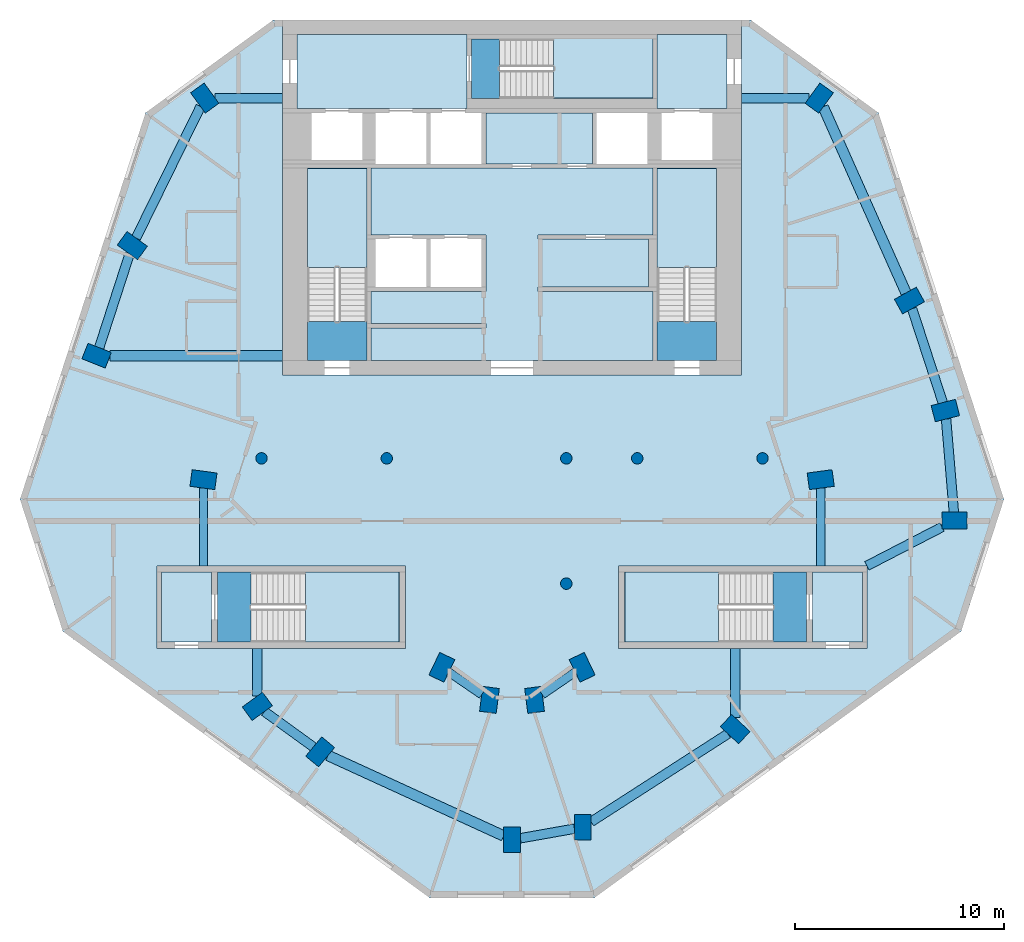
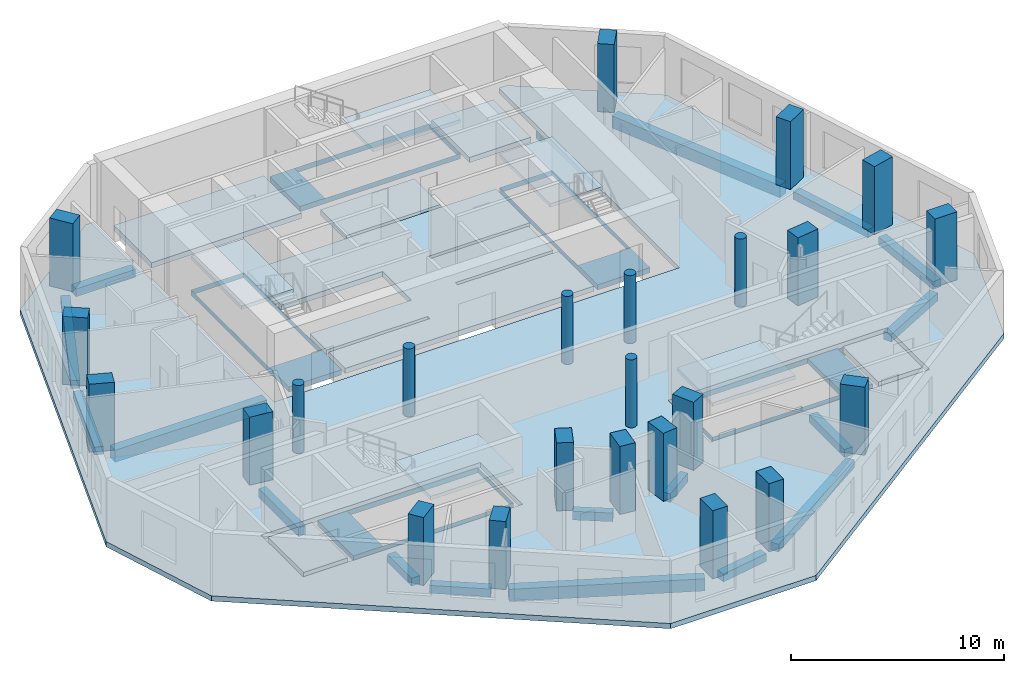
# One storey, part 1 of 8: 24 columns, 19 beams, 17 slabs, 5 elements without a shape of their own.
"""IFC4 building model written with IfcOpenShell, lengths in metres."""

from ifc_helpers import new_model, si_unit, direction, frame, origin, origin_2d, place, context, subcontext, project, spatial, polyline, rectangle, circle, outline, extrude, material, layer, layer_set, material_profile, profile_set, type_object, element, aggregate, save


model = new_model("IFC4")

# Units and contexts
model_context = context("Model", 3, precision=1e-05, world=origin(), true_north=direction((0.0, 1.0)))
body_context = subcontext(model_context, "Body", "Model", "MODEL_VIEW")
ifc_project = project(units=[si_unit("LENGTHUNIT", "METRE"), si_unit("AREAUNIT", "SQUARE_METRE"), si_unit("VOLUMEUNIT", "CUBIC_METRE"), si_unit("PLANEANGLEUNIT", "RADIAN"), si_unit("MASSUNIT", "GRAM", prefix="KILO")], contexts=[model_context])

# Site, building, storey
site_placement = place(None, origin())
site = spatial("IfcSite", under=ifc_project, at=site_placement, CompositionType="ELEMENT")
building_placement = place(site_placement, origin())
building = spatial("IfcBuilding", under=site, at=building_placement, Name="White Candle Pilgrim Tower", CompositionType="ELEMENT")
storey_placement = place(building_placement, frame((0.0, 0.0, 267.800048828125)))
storey = spatial("IfcBuildingStorey", under=building, at=storey_placement, Name="L63", CompositionType="ELEMENT", Elevation=267.800048828125)

# Columns
ifc_material_1 = material(Name="Concrete C60/75", Category="concrete")
ifc_material_profile_1 = material_profile(ifc_material_1, circle(Radius=0.27490234375, at=origin_2d()), Name="RC-COL D550")
ifc_profile_set_1 = profile_set([ifc_material_profile_1], Name="Concrete C60/75")
column_type_1 = type_object("IfcColumnType", Name="Interior column RC-COL D550 C60/75", PredefinedType="COLUMN", material=ifc_profile_set_1)
for number, where, z_axis, x_axis, name in (
    (1, (58.0, 67.0, 0.0), (0.0, 0.0, 1.0), (1.0, 0.0, 0.0), "L63 column I01"),
    (2, (64.0, 67.0, 0.0), (0.0, 0.0, 1.0), (1.0, 0.0, 0.0), "L63 column I02"),
    (3, (72.60009765625, 61.0, 0.0), (0.0, 0.0, 1.0), (1.0, 0.0, 0.0), "L63 column I03"),
    (4, (72.60009765625, 67.0, 0.0), (0.0, 0.0, 1.0), (1.0, 0.0, 0.0), "L63 column I04"),
    (5, (76.0, 67.0, 0.0), (0.0, 0.0, 1.0), (1.0, 0.0, 0.0), "L63 column I05"),
    (6, (82.0, 67.0, 0.0), (0.0, 0.0, 1.0), (1.0, 0.0, 0.0), "L63 column I06"),
):
    element("IfcColumn", number, at=place(storey_placement, frame(where, z_axis=z_axis, x_axis=x_axis)), inside=storey, type_object=column_type_1, Name=name, PredefinedType="COLUMN", context=body_context, shape_type="SweptSolid", body=[
        extrude(circle(Radius=0.27490234375, at=origin_2d()), origin(), (0.0, 0.0, 1.0), 3.89990234375),
    ])
ifc_material_profile_2 = material_profile(ifc_material_1, rectangle(XDim=0.800048828125, YDim=1.199951171875, at=origin_2d()), Name="RC-PR 800x1200")
ifc_profile_set_2 = profile_set([ifc_material_profile_2], Name="Concrete C60/75")
column_type_2 = type_object("IfcColumnType", Name="Perimeter column RC-PR 800x1200 C60/75", PredefinedType="COLUMN", material=ifc_profile_set_2)
for number, where, z_axis, x_axis, name in (
    (7, (57.800048828125, 55.1201171875, 0.0), (0.0, 0.0, 1.0), (-0.58846280644, 0.808524288711, 0.0), "L63 column T01"),
    (8, (60.81005859375, 52.93994140625, 0.0), (0.0, 0.0, 1.0), (-0.769310358735, 0.638875239733, 0.0), "L63 column T02"),
    (9, (70.0, 48.72998046875, 0.0), (0.0, 0.0, 1.0), (-1.0, 0.0, 0.0), "L63 column T03"),
    (10, (73.389892578125, 49.330078125, 0.0), (0.0, 0.0, 1.0), (-1.0, 0.0, 0.0), "L63 column T04"),
    (11, (80.68994140625, 54.030029296875, 0.0), (0.0, 0.0, 1.0), (-0.681998360062, -0.731353701619, 0.0), "L63 column T05"),
    (12, (91.199951171875, 64.02001953125, 0.0), (0.0, 0.0, 1.0), (0.000855211229, -0.999999634307, 0.0), "L63 column T06"),
    (13, (90.760009765625, 69.2900390625, 0.0), (0.0, 0.0, 1.0), (0.246880623275, -0.969045900797, 0.0), "L63 column T07"),
    (14, (89.0400390625, 74.56005859375, 0.0), (0.0, 0.0, 1.0), (0.484809620246, -0.874619707139, 0.0), "L63 column T08"),
    (15, (84.719970703125, 84.260009765625, 0.0), (0.0, 0.0, 1.0), (0.80902725304, -0.587771132193, 0.0), "L63 column T09"),
    (16, (55.280029296875, 84.260009765625, 0.0), (0.0, 0.0, 1.0), (0.80902725304, 0.587771132193, 0.0), "L63 column T10"),
    (17, (51.81005859375, 77.18994140625, 0.0), (0.0, 0.0, 1.0), (0.587107285614, 0.809509132239, 0.0), "L63 column T11"),
    (18, (50.10009765625, 71.919921875, 0.0), (0.0, 0.0, 1.0), (0.369860269472, 0.929087391512, 0.0), "L63 column T12"),
):
    element("IfcColumn", number, at=place(storey_placement, frame(where, z_axis=z_axis, x_axis=x_axis)), inside=storey, type_object=column_type_2, Name=name, PredefinedType="COLUMN", context=body_context, shape_type="SweptSolid", body=[
        extrude(rectangle(XDim=0.800048828125, YDim=1.199951171875, at=origin_2d()), origin(), (0.0, 0.0, 1.0), 3.89990234375),
    ])
ifc_material_profile_3 = material_profile(ifc_material_1, rectangle(XDim=0.800048828125, YDim=1.199951171875, at=origin_2d()), Name="RC-PR 800x1200")
ifc_profile_set_3 = profile_set([ifc_material_profile_3], Name="Concrete C60/75")
column_type_3 = type_object("IfcColumnType", Name="Ring column RC-PR 800x1200 C60/75", PredefinedType="COLUMN", material=ifc_profile_set_3)
for number, where, z_axis, x_axis, name in (
    (19, (66.639892578125, 56.989990234375, 0.0), (0.0, 0.0, 1.0), (-0.901689191761, 0.43238478403, 0.0), "L63 column R01"),
    (20, (68.919921875, 55.429931640625, 0.0), (0.0, 0.0, 1.0), (-0.992092811428, 0.125506388335, 0.0), "L63 column R02"),
    (21, (71.080078125, 55.429931640625, 0.0), (0.0, 0.0, 1.0), (-0.992092811428, -0.125506388335, 0.0), "L63 column R03"),
    (22, (73.360107421875, 56.989990234375, 0.0), (0.0, 0.0, 1.0), (-0.901689191761, -0.43238478403, 0.0), "L63 column R04"),
    (23, (84.7900390625, 65.97998046875, 0.0), (0.0, 0.0, 1.0), (0.132602381688, -0.991169313675, 0.0), "L63 column R05"),
    (24, (55.219970703125, 65.97998046875, 0.0), (0.0, 0.0, 1.0), (0.132602381688, 0.991169313675, 0.0), "L63 column R06"),
):
    element("IfcColumn", number, at=place(storey_placement, frame(where, z_axis=z_axis, x_axis=x_axis)), inside=storey, type_object=column_type_3, Name=name, PredefinedType="COLUMN", context=body_context, shape_type="SweptSolid", body=[
        extrude(rectangle(XDim=0.800048828125, YDim=1.199951171875, at=origin_2d()), origin(), (0.0, 0.0, 1.0), 3.89990234375),
    ])

# Beams
ifc_material_2 = material(Name="Concrete C50/60", Category="concrete")
ifc_material_profile_4 = material_profile(ifc_material_2, rectangle(XDim=0.39990234375, YDim=0.5, at=origin_2d()), Name="RC-BM 400x500")
ifc_profile_set_4 = profile_set([ifc_material_profile_4], Name="Concrete C50/60")
beam_type_1 = type_object("IfcBeamType", Name="Ring beam RC-BM 400x500 C50/60", PredefinedType="BEAM", material=ifc_profile_set_4)
for number, where, z_axis, x_axis, name in (
    (25, (66.97412109375, 56.761474609375, -0.550048828125), (0.825257044892, -0.564757301729, 0.0), (0.564757301729, 0.825257044892, 0.0), "L63 ring beam R01"),
    (26, (71.451171875, 55.683837890625, -0.550048828125), (0.825257044892, 0.564757301729, 0.0), (-0.564757301729, 0.825257044892, 0.0), "L63 ring beam R02"),
):
    element("IfcBeam", number, at=place(storey_placement, frame(where, z_axis=z_axis, x_axis=x_axis)), inside=storey, type_object=beam_type_1, Name=name, PredefinedType="BEAM", context=body_context, shape_type="SweptSolid", body=[
        extrude(rectangle(XDim=0.39990234375, YDim=0.5, at=origin_2d()), origin(), (0.0, 0.0, 1.0), 1.908203125),
    ])
for number, where, z_axis, x_axis, name in (
    (27, (84.7900390625, 65.576416015625, -0.550048828125), (0.0, -1.0, 0.0), (1.0, 0.0, 0.0), "L63 ring beam R03"),
    (28, (55.219970703125, 65.576416015625, -0.550048828125), (0.0, -1.0, 0.0), (1.0, 0.0, 0.0), "L63 ring beam R04"),
):
    element("IfcBeam", number, at=place(storey_placement, frame(where, z_axis=z_axis, x_axis=x_axis)), inside=storey, type_object=beam_type_1, Name=name, PredefinedType="BEAM", context=body_context, shape_type="SweptSolid", body=[
        extrude(rectangle(XDim=0.39990234375, YDim=0.5, at=origin_2d()), origin(), (0.0, 0.0, 1.0), 3.726318359375),
    ])
ifc_material_profile_5 = material_profile(ifc_material_2, rectangle(XDim=0.449951171875, YDim=0.449951171875, at=origin_2d()), Name="RC-BM 450x450")
ifc_profile_set_5 = profile_set([ifc_material_profile_5], Name="Concrete C50/60")
beam_type_2 = type_object("IfcBeamType", Name="Spandrel beam RC-BM 450x450 C50/60", PredefinedType="BEAM", material=ifc_profile_set_5)
beam_1_placement = place(storey_placement, frame((58.140625, 54.873291015625, -0.525146484375), z_axis=(0.809886863982, -0.586586112647, 0.0), x_axis=(0.586586112647, 0.809886863982, 0.0)))
element("IfcBeam", 29, at=beam_1_placement, inside=storey, type_object=beam_type_2, Name="L63 spandrel beam T01", PredefinedType="BEAM", context=body_context, shape_type="SweptSolid", body=[
    extrude(rectangle(XDim=0.449951171875, YDim=0.449951171875, at=origin_2d()), origin(), (0.0, 0.0, 1.0), 2.89501953125),
])
beam_2_placement = place(storey_placement, frame((70.39990234375, 48.80078125, -0.525146484375), z_axis=(0.984690914207, 0.174309504843, 0.0), x_axis=(-0.174309504843, 0.984690914207, 0.0)))
element("IfcBeam", 30, at=beam_2_placement, inside=storey, type_object=beam_type_2, Name="L63 spandrel beam T03", PredefinedType="BEAM", context=body_context, shape_type="SweptSolid", body=[
    extrude(rectangle(XDim=0.449951171875, YDim=0.449951171875, at=origin_2d()), origin(), (0.0, 0.0, 1.0), 2.63037109375),
])
beam_3_placement = place(storey_placement, frame((73.7900390625, 49.58740234375, -0.525146484375), z_axis=(0.840792523654, 0.541357490175, 0.0), x_axis=(-0.541357490175, 0.840792523654, 0.0)))
element("IfcBeam", 31, at=beam_3_placement, inside=storey, type_object=beam_type_2, Name="L63 spandrel beam T04", PredefinedType="BEAM", context=body_context, shape_type="SweptSolid", body=[
    extrude(rectangle(XDim=0.449951171875, YDim=0.449951171875, at=origin_2d()), origin(), (0.0, 0.0, 1.0), 7.793701171875),
])
beam_4_placement = place(storey_placement, frame((80.68994140625, 54.576904296875, -0.525146484375), z_axis=(0.0, 1.0, 0.0), x_axis=(-1.0, 0.0, 0.0)))
element("IfcBeam", 32, at=beam_4_placement, inside=storey, type_object=beam_type_2, Name="L63 spandrel beam T05", PredefinedType="BEAM", context=body_context, shape_type="SweptSolid", body=[
    extrude(rectangle(XDim=0.449951171875, YDim=0.449951171875, at=origin_2d()), origin(), (0.0, 0.0, 1.0), 3.322998046875),
])
beam_5_placement = place(storey_placement, frame((90.600341796875, 63.710205078125, -0.525146484375), z_axis=(-0.888432867753, -0.459006578925, 0.0), x_axis=(0.459006578925, -0.888432867753, 0.0)))
element("IfcBeam", 33, at=beam_5_placement, inside=storey, type_object=beam_type_2, Name="L63 spandrel beam T06", PredefinedType="BEAM", context=body_context, shape_type="SweptSolid", body=[
    extrude(rectangle(XDim=0.449951171875, YDim=0.449951171875, at=origin_2d()), origin(), (0.0, 0.0, 1.0), 4.052490234375),
])
beam_6_placement = place(storey_placement, frame((91.16650390625, 64.419921875, -0.525146484375), z_axis=(-0.083189754962, 0.996533724803, 0.0), x_axis=(-0.996533724803, -0.083189754962, 0.0)))
element("IfcBeam", 34, at=beam_6_placement, inside=storey, type_object=beam_type_2, Name="L63 spandrel beam T07", PredefinedType="BEAM", context=body_context, shape_type="SweptSolid", body=[
    extrude(rectangle(XDim=0.449951171875, YDim=0.449951171875, at=origin_2d()), origin(), (0.0, 0.0, 1.0), 4.4814453125),
])
beam_7_placement = place(storey_placement, frame((90.635498046875, 69.671142578125, -0.525146484375), z_axis=(-0.310235376741, 0.950659776691, 0.0), x_axis=(-0.950659776691, -0.310235376741, 0.0)))
element("IfcBeam", 35, at=beam_7_placement, inside=storey, type_object=beam_type_2, Name="L63 spandrel beam T08", PredefinedType="BEAM", context=body_context, shape_type="SweptSolid", body=[
    extrude(rectangle(XDim=0.449951171875, YDim=0.449951171875, at=origin_2d()), origin(), (0.0, 0.0, 1.0), 4.735107421875),
])
for number, where, z_axis, x_axis, name in (
    (36, (84.2255859375, 84.260009765625, -0.525146484375), (-1.0, 0.0, 0.0), (0.0, -1.0, 0.0), "L63 spandrel beam T10"),
    (37, (55.7744140625, 84.260009765625, -0.525146484375), (1.0, 0.0, 0.0), (0.0, 1.0, 0.0), "L63 spandrel beam T11"),
):
    element("IfcBeam", number, at=place(storey_placement, frame(where, z_axis=z_axis, x_axis=x_axis)), inside=storey, type_object=beam_type_2, Name=name, PredefinedType="BEAM", context=body_context, shape_type="SweptSolid", body=[
        extrude(rectangle(XDim=0.449951171875, YDim=0.449951171875, at=origin_2d()), origin(), (0.0, 0.0, 1.0), 3.2255859375),
    ])
beam_8_placement = place(storey_placement, frame((55.080810546875, 83.853759765625, -0.525146484375), z_axis=(-0.440604884501, -0.897701139441, 0.0), x_axis=(0.897701139441, -0.440604884501, 0.0)))
element("IfcBeam", 38, at=beam_8_placement, inside=storey, type_object=beam_type_2, Name="L63 spandrel beam T12", PredefinedType="BEAM", context=body_context, shape_type="SweptSolid", body=[
    extrude(rectangle(XDim=0.449951171875, YDim=0.449951171875, at=origin_2d()), origin(), (0.0, 0.0, 1.0), 7.01708984375),
])
beam_9_placement = place(storey_placement, frame((51.68017578125, 76.7900390625, -0.525146484375), z_axis=(-0.308643859688, -0.95117767419, 0.0), x_axis=(0.95117767419, -0.308643859688, 0.0)))
element("IfcBeam", 39, at=beam_9_placement, inside=storey, type_object=beam_type_2, Name="L63 spandrel beam T13", PredefinedType="BEAM", context=body_context, shape_type="SweptSolid", body=[
    extrude(rectangle(XDim=0.449951171875, YDim=0.449951171875, at=origin_2d()), origin(), (0.0, 0.0, 1.0), 4.71923828125),
])
beam_10_placement = place(storey_placement, frame((57.800048828125, 55.61474609375, -0.525146484375), z_axis=(0.0, 1.0, 0.0), x_axis=(-1.0, 0.0, 0.0)))
element("IfcBeam", 40, at=beam_10_placement, inside=storey, type_object=beam_type_2, Name="L63 spandrel beam T15", PredefinedType="BEAM", context=body_context, shape_type="SweptSolid", body=[
    extrude(rectangle(XDim=0.449951171875, YDim=0.449951171875, at=origin_2d()), origin(), (0.0, 0.0, 1.0), 2.28515625),
])
ifc_material_profile_6 = material_profile(ifc_material_2, rectangle(XDim=0.5, YDim=0.699951171875, at=origin_2d()), Name="RC-BM 500x700")
ifc_profile_set_6 = profile_set([ifc_material_profile_6], Name="Concrete C50/60")
beam_type_3 = type_object("IfcBeamType", Name="Spandrel beam RC-BM 500x700 C50/60", PredefinedType="BEAM", material=ifc_profile_set_6)
beam_11_placement = place(storey_placement, frame((61.186767578125, 52.767578125, -0.650146484375), z_axis=(0.90913101106, -0.416510269656, 0.0), x_axis=(0.416510269656, 0.90913101106, 0.0)))
element("IfcBeam", 41, at=beam_11_placement, inside=storey, type_object=beam_type_3, Name="L63 spandrel beam T02", PredefinedType="BEAM", context=body_context, shape_type="SweptSolid", body=[
    extrude(rectangle(XDim=0.5, YDim=0.699951171875, at=origin_2d()), origin(), (0.0, 0.0, 1.0), 9.254150390625),
])
beam_12_placement = place(storey_placement, frame((88.876708984375, 74.9267578125, -0.650146484375), z_axis=(-0.406834969126, 0.913501673724, 0.0), x_axis=(-0.913501673724, -0.406834969126, 0.0)))
element("IfcBeam", 42, at=beam_12_placement, inside=storey, type_object=beam_type_3, Name="L63 spandrel beam T09", PredefinedType="BEAM", context=body_context, shape_type="SweptSolid", body=[
    extrude(rectangle(XDim=0.5, YDim=0.699951171875, at=origin_2d()), origin(), (0.0, 0.0, 1.0), 9.755126953125),
])
beam_13_placement = place(storey_placement, frame((50.745849609375, 71.919921875, -0.650146484375), z_axis=(1.0, 0.0, 0.0), x_axis=(0.0, 1.0, 0.0)))
element("IfcBeam", 43, at=beam_13_placement, inside=storey, type_object=beam_type_3, Name="L63 spandrel beam T14", PredefinedType="BEAM", context=body_context, shape_type="SweptSolid", body=[
    extrude(rectangle(XDim=0.5, YDim=0.699951171875, at=origin_2d()), origin(), (0.0, 0.0, 1.0), 8.254150390625),
])

# Slabs
ifc_material_3 = material(Name="Concrete C40/50", Category="concrete")
ifc_layer_1 = layer(ifc_material_3, 0.300048828125)
ifc_layer_set_1 = layer_set([ifc_layer_1], Name="Core floor slab 300 mm Concrete C40/50")
slab_type_1 = type_object("IfcSlabType", Name="Core floor slab 300 mm Concrete C40/50", PredefinedType="FLOOR", material=ifc_layer_set_1)
slab_1_placement = place(storey_placement, frame((0.0, 0.0, -0.300048828125)))
element("IfcSlab", 44, at=slab_1_placement, inside=storey, type_object=slab_type_1, Name="CF-L63-01", PredefinedType="FLOOR", context=body_context, shape_type="SweptSolid", body=[
    extrude(outline(polyline([(55.60009765625, 58.199951171875), (53.199951171875, 58.199951171875), (53.199951171875, 61.550048828125), (55.60009765625, 61.550048828125), (55.60009765625, 58.199951171875)])), origin(), (0.0, 0.0, 1.0), 0.300048828125),
])
slab_2_placement = place(storey_placement, frame((0.0, 0.0, -0.300048828125)))
element("IfcSlab", 45, at=slab_2_placement, inside=storey, type_object=slab_type_1, Name="CF-L63-02", PredefinedType="FLOOR", context=body_context, shape_type="SweptSolid", body=[
    extrude(outline(polyline([(55.89990234375, 58.199951171875), (55.89990234375, 61.550048828125), (64.60009765625, 61.550048828125), (64.60009765625, 58.199951171875), (55.89990234375, 58.199951171875)]), holes=[polyline([(57.501953125, 61.548095703125), (57.501953125, 58.201904296875), (64.597900390625, 58.201904296875), (64.597900390625, 61.548095703125), (57.501953125, 61.548095703125)])]), origin(), (0.0, 0.0, 1.0), 0.300048828125),
])
slab_3_placement = place(storey_placement, frame((0.0, 0.0, -0.300048828125)))
element("IfcSlab", 46, at=slab_3_placement, inside=storey, type_object=slab_type_1, Name="CF-L63-03", PredefinedType="FLOOR", context=body_context, shape_type="SweptSolid", body=[
    extrude(outline(polyline([(75.39990234375, 58.199951171875), (75.39990234375, 61.550048828125), (84.10009765625, 61.550048828125), (84.10009765625, 58.199951171875), (75.39990234375, 58.199951171875)]), holes=[polyline([(82.498046875, 61.548095703125), (75.402099609375, 61.548095703125), (75.402099609375, 58.201904296875), (82.498046875, 58.201904296875), (82.498046875, 61.548095703125)])]), origin(), (0.0, 0.0, 1.0), 0.300048828125),
])
slab_4_placement = place(storey_placement, frame((0.0, 0.0, -0.300048828125)))
element("IfcSlab", 47, at=slab_4_placement, inside=storey, type_object=slab_type_1, Name="CF-L63-04", PredefinedType="FLOOR", context=body_context, shape_type="SweptSolid", body=[
    extrude(outline(polyline([(86.800048828125, 58.199951171875), (84.39990234375, 58.199951171875), (84.39990234375, 61.550048828125), (86.800048828125, 61.550048828125), (86.800048828125, 58.199951171875)])), origin(), (0.0, 0.0, 1.0), 0.300048828125),
])
slab_5_placement = place(storey_placement, frame((0.0, 0.0, -0.300048828125)))
element("IfcSlab", 48, at=slab_5_placement, inside=storey, type_object=slab_type_1, Name="CF-L63-05", PredefinedType="FLOOR", context=body_context, shape_type="SweptSolid", body=[
    extrude(outline(polyline([(76.949951171875, 71.699951171875), (76.949951171875, 75.0), (76.949951171875, 75.199951171875), (76.949951171875, 77.5), (76.949951171875, 77.699951171875), (76.949951171875, 80.89990234375), (79.800048828125, 80.89990234375), (79.800048828125, 71.699951171875), (76.949951171875, 71.699951171875)]), holes=[polyline([(76.951904296875, 73.552001953125), (79.798095703125, 73.552001953125), (79.798095703125, 80.89794921875), (76.951904296875, 80.89794921875), (76.951904296875, 73.552001953125)])]), origin(), (0.0, 0.0, 1.0), 0.300048828125),
])
slab_6_placement = place(storey_placement, frame((0.0, 0.0, -0.300048828125)))
element("IfcSlab", 49, at=slab_6_placement, inside=storey, type_object=slab_type_1, Name="CF-L63-06", PredefinedType="FLOOR", context=body_context, shape_type="SweptSolid", body=[
    extrude(outline(polyline([(63.25, 71.699951171875), (63.25, 73.25), (68.75, 73.25), (68.75, 73.449951171875), (63.25, 73.449951171875), (63.25, 75.0), (68.75, 75.0), (68.75, 75.199951171875), (68.75, 77.5), (68.75, 77.699951171875), (63.25, 77.699951171875), (63.25, 80.89990234375), (76.75, 80.89990234375), (76.75, 77.699951171875), (71.25, 77.699951171875), (71.25, 77.5), (76.550048828125, 77.5), (76.550048828125, 75.199951171875), (71.25, 75.199951171875), (71.25, 75.0), (76.75, 75.0), (76.75, 71.699951171875), (63.25, 71.699951171875)])), origin(), (0.0, 0.0, 1.0), 0.300048828125),
])
slab_7_placement = place(storey_placement, frame((0.0, 0.0, -0.300048828125)))
element("IfcSlab", 50, at=slab_7_placement, inside=storey, type_object=slab_type_1, Name="CF-L63-07", PredefinedType="FLOOR", context=body_context, shape_type="SweptSolid", body=[
    extrude(outline(polyline([(60.199951171875, 71.699951171875), (60.199951171875, 80.89990234375), (63.050048828125, 80.89990234375), (63.050048828125, 77.699951171875), (63.050048828125, 77.5), (63.050048828125, 75.199951171875), (63.050048828125, 75.0), (63.050048828125, 73.449951171875), (63.050048828125, 73.25), (63.050048828125, 71.699951171875), (60.199951171875, 71.699951171875)]), holes=[polyline([(60.201904296875, 73.552001953125), (63.048095703125, 73.552001953125), (63.048095703125, 80.89794921875), (60.201904296875, 80.89794921875), (60.201904296875, 73.552001953125)])]), origin(), (0.0, 0.0, 1.0), 0.300048828125),
])
slab_8_placement = place(storey_placement, frame((0.0, 0.0, -0.300048828125)))
element("IfcSlab", 51, at=slab_8_placement, inside=storey, type_object=slab_type_1, Name="CF-L63-08", PredefinedType="FLOOR", context=body_context, shape_type="SweptSolid", body=[
    extrude(outline(polyline([(59.699951171875, 87.300048828125), (67.85009765625, 87.300048828125), (67.85009765625, 87.10009765625), (67.85009765625, 84.25), (67.85009765625, 83.75), (59.699951171875, 83.75), (59.699951171875, 87.300048828125)])), origin(), (0.0, 0.0, 1.0), 0.300048828125),
])
slab_9_placement = place(storey_placement, frame((0.0, 0.0, -0.300048828125)))
element("IfcSlab", 52, at=slab_9_placement, inside=storey, type_object=slab_type_1, Name="CF-L63-09", PredefinedType="FLOOR", context=body_context, shape_type="SweptSolid", body=[
    extrude(outline(polyline([(80.300048828125, 87.300048828125), (80.300048828125, 83.75), (76.949951171875, 83.75), (76.949951171875, 84.25), (76.949951171875, 87.10009765625), (76.949951171875, 87.300048828125), (80.300048828125, 87.300048828125)])), origin(), (0.0, 0.0, 1.0), 0.300048828125),
])
slab_10_placement = place(storey_placement, frame((0.0, 0.0, -0.300048828125)))
element("IfcSlab", 53, at=slab_10_placement, inside=storey, type_object=slab_type_1, Name="CF-L63-10", PredefinedType="FLOOR", context=body_context, shape_type="SweptSolid", body=[
    extrude(outline(polyline([(68.75, 81.10009765625), (68.75, 83.550048828125), (73.85009765625, 83.550048828125), (73.85009765625, 81.10009765625), (68.75, 81.10009765625)])), origin(), (0.0, 0.0, 1.0), 0.300048828125),
])
slab_11_placement = place(storey_placement, frame((0.0, 0.0, -0.300048828125)))
element("IfcSlab", 54, at=slab_11_placement, inside=storey, type_object=slab_type_1, Name="CF-L63-11", PredefinedType="FLOOR", context=body_context, shape_type="SweptSolid", body=[
    extrude(outline(polyline([(68.050048828125, 87.10009765625), (76.75, 87.10009765625), (76.75, 84.25), (68.050048828125, 84.25), (68.050048828125, 87.10009765625)]), holes=[polyline([(69.402099609375, 84.251953125), (76.748046875, 84.251953125), (76.748046875, 87.097900390625), (69.402099609375, 87.097900390625), (69.402099609375, 84.251953125)])]), origin(), (0.0, 0.0, 1.0), 0.300048828125),
])
ifc_layer_2 = layer(ifc_material_3, 0.300048828125)
ifc_layer_set_2 = layer_set([ifc_layer_2], Name="Floor slab 300 REI 120")
slab_type_2 = type_object("IfcSlabType", Name="Floor slab 300 REI 120", PredefinedType="FLOOR", material=ifc_layer_set_2)
slab_12_placement = place(storey_placement, frame((0.0, 0.0, -0.300048828125)))
element("IfcSlab", 55, at=slab_12_placement, inside=storey, type_object=slab_type_2, Name="L63 floor slab", PredefinedType="FLOOR", context=body_context, shape_type="SweptSolid", body=[
    extrude(outline(polyline([(66.0537109375, 45.94921875), (73.9462890625, 45.94921875), (91.51416015625, 58.712890625), (93.569091796875, 65.03759765625), (87.5517578125, 83.557373046875), (81.43701171875, 88.0), (81.0, 88.0), (81.0, 71.0), (59.0, 71.0), (59.0, 88.0), (58.56298828125, 88.0), (52.4482421875, 83.557373046875), (46.430908203125, 65.03759765625), (48.48583984375, 58.712890625), (66.0537109375, 45.94921875)]), holes=[polyline([(53.0, 57.89990234375), (53.0, 61.85009765625), (64.89990234375, 61.85009765625), (64.89990234375, 57.89990234375), (53.0, 57.89990234375)]), polyline([(75.10009765625, 57.89990234375), (75.10009765625, 61.85009765625), (87.0, 61.85009765625), (87.0, 57.89990234375), (75.10009765625, 57.89990234375)])]), origin(), (0.0, 0.0, 1.0), 0.300048828125),
])

# Stair, slab
stair_type_1 = type_object("IfcStairType", Name="Exit stair 1 flight width 1350 mm", PredefinedType="HALF_TURN_STAIR", material=ifc_material_3)
stair_1_placement = place(storey_placement, origin())
stair_1 = element("IfcStair", 56, at=stair_1_placement, inside=storey, type_object=stair_type_1, Name="L63 stair 1", PredefinedType="NOTDEFINED")
ifc_layer_3 = layer(ifc_material_3, 0.199951171875)
ifc_layer_set_3 = layer_set([ifc_layer_3], Name="Stair landing Concrete C40/50")
slab_type_3 = type_object("IfcSlabType", Name="Stair landing Concrete C40/50", PredefinedType="LANDING", material=ifc_layer_set_3)
slab_13_placement = place(storey_placement, frame((0.0, 0.0, 1.75)))
slab_13 = element("IfcSlab", 57, at=slab_13_placement, type_object=slab_type_3, Name="ST1 landing 1", PredefinedType="LANDING", context=body_context, shape_type="SweptSolid", body=[
    extrude(outline(polyline([(63.052001953125, 76.14794921875), (60.197998046875, 76.14794921875), (60.197998046875, 80.902099609375), (63.052001953125, 80.902099609375), (63.052001953125, 76.14794921875)])), origin(), (0.0, 0.0, 1.0), 0.199951171875),
])
aggregate(stair_1, [slab_13])

stair_type_2 = type_object("IfcStairType", Name="Exit stair 2 flight width 1350 mm", PredefinedType="HALF_TURN_STAIR", material=ifc_material_3)
stair_2_placement = place(storey_placement, origin())
stair_2 = element("IfcStair", 58, at=stair_2_placement, inside=storey, type_object=stair_type_2, Name="L63 stair 2", PredefinedType="NOTDEFINED")
slab_14_placement = place(storey_placement, frame((0.0, 0.0, 1.75)))
slab_14 = element("IfcSlab", 59, at=slab_14_placement, type_object=slab_type_3, Name="ST2 landing 1", PredefinedType="LANDING", context=body_context, shape_type="SweptSolid", body=[
    extrude(outline(polyline([(79.802001953125, 76.14794921875), (76.947998046875, 76.14794921875), (76.947998046875, 80.902099609375), (79.802001953125, 80.902099609375), (79.802001953125, 76.14794921875)])), origin(), (0.0, 0.0, 1.0), 0.199951171875),
])
aggregate(stair_2, [slab_14])

stair_type_3 = type_object("IfcStairType", Name="Exit stair 3 flight width 1350 mm", PredefinedType="HALF_TURN_STAIR", material=ifc_material_3)
stair_3_placement = place(storey_placement, origin())
stair_3 = element("IfcStair", 60, at=stair_3_placement, inside=storey, type_object=stair_type_3, Name="L63 stair 3", PredefinedType="NOTDEFINED")
slab_15_placement = place(storey_placement, frame((0.0, 0.0, 1.75)))
slab_15 = element("IfcSlab", 61, at=slab_15_placement, type_object=slab_type_3, Name="ST3 landing 1", PredefinedType="LANDING", context=body_context, shape_type="SweptSolid", body=[
    extrude(outline(polyline([(71.998046875, 84.248046875), (71.998046875, 87.10205078125), (76.751953125, 87.10205078125), (76.751953125, 84.248046875), (71.998046875, 84.248046875)])), origin(), (0.0, 0.0, 1.0), 0.199951171875),
])
aggregate(stair_3, [slab_15])

stair_type_4 = type_object("IfcStairType", Name="Exit stair 4 flight width 1600 mm", PredefinedType="HALF_TURN_STAIR", material=ifc_material_3)
stair_4_placement = place(storey_placement, origin())
stair_4 = element("IfcStair", 62, at=stair_4_placement, inside=storey, type_object=stair_type_4, Name="L63 stair 4", PredefinedType="NOTDEFINED")
slab_16_placement = place(storey_placement, frame((0.0, 0.0, 1.75)))
slab_16 = element("IfcSlab", 63, at=slab_16_placement, type_object=slab_type_3, Name="ST4 landing 1", PredefinedType="LANDING", context=body_context, shape_type="SweptSolid", body=[
    extrude(outline(polyline([(79.902099609375, 61.552001953125), (79.902099609375, 58.197998046875), (75.39794921875, 58.197998046875), (75.39794921875, 61.552001953125), (79.902099609375, 61.552001953125)])), origin(), (0.0, 0.0, 1.0), 0.199951171875),
])
aggregate(stair_4, [slab_16])

stair_type_5 = type_object("IfcStairType", Name="Exit stair 5 flight width 1600 mm", PredefinedType="HALF_TURN_STAIR", material=ifc_material_3)
stair_5_placement = place(storey_placement, origin())
stair_5 = element("IfcStair", 64, at=stair_5_placement, inside=storey, type_object=stair_type_5, Name="L63 stair 5", PredefinedType="NOTDEFINED")
slab_17_placement = place(storey_placement, frame((0.0, 0.0, 1.75)))
slab_17 = element("IfcSlab", 65, at=slab_17_placement, type_object=slab_type_3, Name="ST5 landing 1", PredefinedType="LANDING", context=body_context, shape_type="SweptSolid", body=[
    extrude(outline(polyline([(60.097900390625, 58.197998046875), (60.097900390625, 61.552001953125), (64.60205078125, 61.552001953125), (64.60205078125, 58.197998046875), (60.097900390625, 58.197998046875)])), origin(), (0.0, 0.0, 1.0), 0.199951171875),
])
aggregate(stair_5, [slab_17])

save(model, "model.ifc")
